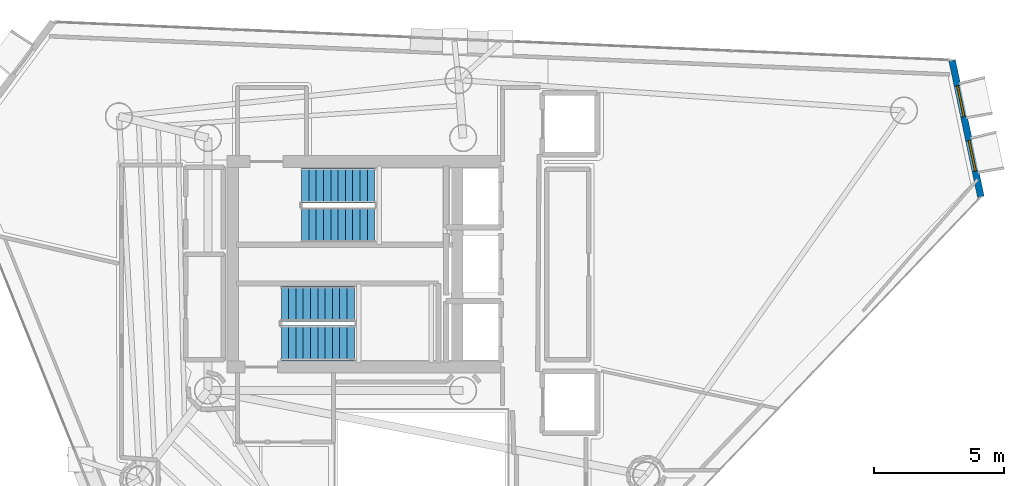
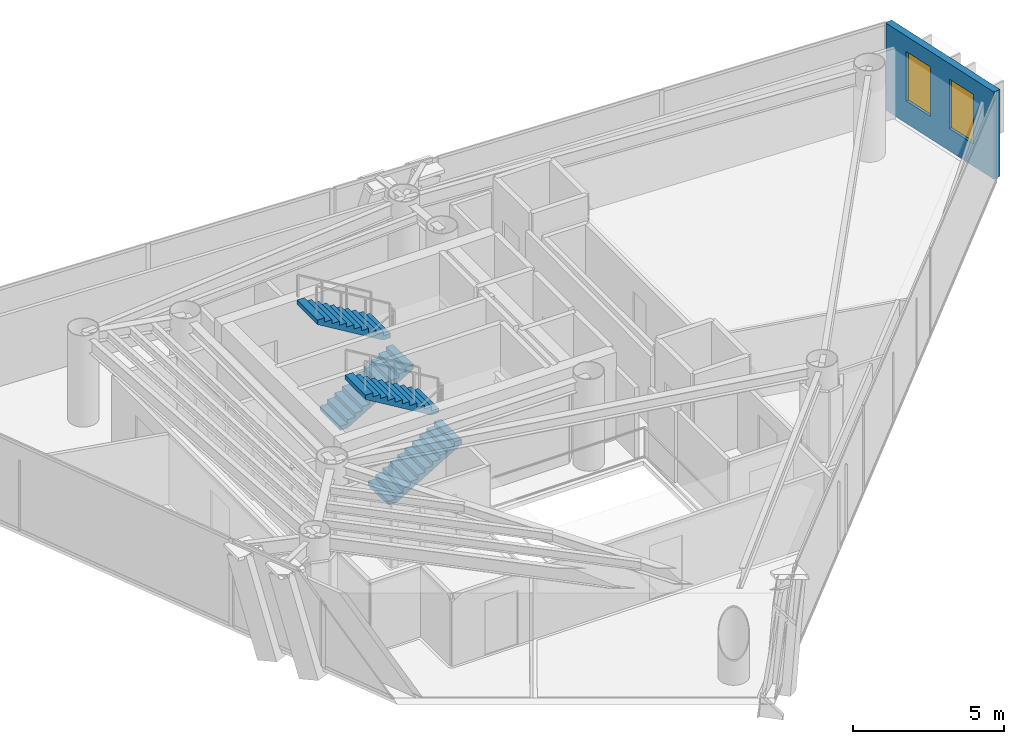
# One storey, part 17 of 21: 4 stair flights, 2 windows, 1 wall, 2 openings, 2 elements without a shape of their own.
"""IFC4 building model written with IfcOpenShell, lengths in metres."""

from ifc_helpers import new_model, si_unit, direction, frame, frame_2d, origin, place, context, subcontext, project, spatial, polyline, rectangle, outline, extrude, material, layer, layer_set, type_object, element, fill, aggregate, save


model = new_model("IFC4")

# Units and contexts
model_context = context("Model", 3, precision=1e-05, world=origin(), true_north=direction((0.0, 1.0)))
body_context = subcontext(model_context, "Body", "Model", "MODEL_VIEW")
ifc_project = project(units=[si_unit("LENGTHUNIT", "METRE"), si_unit("AREAUNIT", "SQUARE_METRE"), si_unit("VOLUMEUNIT", "CUBIC_METRE"), si_unit("PLANEANGLEUNIT", "RADIAN"), si_unit("MASSUNIT", "GRAM", prefix="KILO")], contexts=[model_context])

# Site, building, storey
site_placement = place(None, origin())
site = spatial("IfcSite", under=ifc_project, at=site_placement, CompositionType="ELEMENT")
building_placement = place(site_placement, origin())
building = spatial("IfcBuilding", under=site, at=building_placement, Name="Qianvela Tower", CompositionType="ELEMENT")
storey_placement = place(building_placement, frame((0.0, 0.0, 242.699951171875)))
storey = spatial("IfcBuildingStorey", under=building, at=storey_placement, Name="L62", CompositionType="ELEMENT", Elevation=242.699951171875)

# Wall, openings, windows
ifc_material_1 = material(Name="Terracotta Cladding on Concrete C40", Category="masonry")
ifc_layer = layer(ifc_material_1, 0.260009765625)
ifc_layer_set = layer_set([ifc_layer], Name="Terracotta Cladding on Concrete C40")
wall_type = type_object("IfcWallType", Name="TERRACOTTA-WALL-260", PredefinedType="SOLIDWALL", material=ifc_layer_set)
wall_placement = place(storey_placement, frame((58.285888671875, 31.291748046875, 0.0), z_axis=(0.0, 0.0, 1.0), x_axis=(-0.206134428102, 0.978523682673, 0.0)))
wall = element("IfcWall", 1, at=wall_placement, inside=storey, type_object=wall_type, Name="L62 Terracotta Chamfer Facet Wall 1", PredefinedType="SOLIDWALL", context=body_context, shape_type="SweptSolid", body=[
    extrude(rectangle(XDim=5.360595703125, YDim=0.260009765625, at=frame_2d((2.68017578125, 0.0))), origin(), (0.0, 0.0, 1.0), 3.52001953125),
])
opening_1_placement = place(wall_placement, frame((1.008056640625, 0.0, 0.89990234375)))
opening_1 = element("IfcOpeningElement", 2, at=opening_1_placement, cuts=wall, Name="Opening W-03", PredefinedType="OPENING", context=body_context, shape_type="SweptSolid", body=[
    extrude(rectangle(XDim=1.199951171875, YDim=2.0, at=frame_2d((0.60009765625, 1.0))), frame((0.0, 0.139892578125, 0.0), z_axis=(0.0, -1.0, 0.0), x_axis=(1.0, 0.0, 0.0)), (0.0, 0.0, 1.0), 0.280029296875),
])
opening_2_placement = place(wall_placement, frame((3.15234375, 0.0, 0.89990234375)))
opening_2 = element("IfcOpeningElement", 3, at=opening_2_placement, cuts=wall, Name="Opening W-03", PredefinedType="OPENING", context=body_context, shape_type="SweptSolid", body=[
    extrude(rectangle(XDim=1.199951171875, YDim=2.0, at=frame_2d((0.60009765625, 1.0))), frame((0.0, 0.139892578125, 0.0), z_axis=(0.0, -1.0, 0.0), x_axis=(1.0, 0.0, 0.0)), (0.0, 0.0, 1.0), 0.280029296875),
])
ifc_material_2 = material(Name="Thermally Broken Aluminium and Low-E Glass", Category="aluminium")
window_type = type_object("IfcWindowType", Name="WIN-TC-1200x2000", PartitioningType="SINGLE_PANEL", PredefinedType="WINDOW", material=ifc_material_2)
window_1_placement = place(opening_1_placement, origin())
window_1 = element("IfcWindow", 4, at=window_1_placement, inside=storey, type_object=window_type, Name="L62 Chamfer Facet Window 1.1", OverallHeight=2.0, OverallWidth=1.199951171875, PartitioningType="SINGLE_PANEL", PredefinedType="WINDOW", context=body_context, shape_type="SweptSolid", body=[
    extrude(rectangle(XDim=1.199951171875, YDim=2.0, at=frame_2d((0.60009765625, 1.0))), frame((0.0, 0.030029296875, 0.0), z_axis=(0.0, -1.0, 0.0), x_axis=(1.0, 0.0, 0.0)), (0.0, 0.0, 1.0), 0.06005859375),
])
fill(opening_1, window_1)
window_2_placement = place(opening_2_placement, origin())
window_2 = element("IfcWindow", 5, at=window_2_placement, inside=storey, type_object=window_type, Name="L62 Chamfer Facet Window 1.2", OverallHeight=2.0, OverallWidth=1.199951171875, PartitioningType="SINGLE_PANEL", PredefinedType="WINDOW", context=body_context, shape_type="SweptSolid", body=[
    extrude(rectangle(XDim=1.199951171875, YDim=2.0, at=frame_2d((0.60009765625, 1.0))), frame((0.0, 0.030029296875, 0.0), z_axis=(0.0, -1.0, 0.0), x_axis=(1.0, 0.0, 0.0)), (0.0, 0.0, 1.0), 0.06005859375),
])
fill(opening_2, window_2)

# Stair, stair flights
ifc_material_3 = material(Name="Concrete C40", Category="concrete")
stair_type = type_object("IfcStairType", Name="ST-DOGLEG-1350-R168-N22", PredefinedType="HALF_TURN_STAIR", material=ifc_material_3)
stair_1_placement = place(storey_placement, origin())
stair_1 = element("IfcStair", 6, at=stair_1_placement, inside=storey, type_object=stair_type, Name="L62 Smoke-Proof Core Stair ST-1", PredefinedType="HALF_TURN_STAIR")
ifc_material_4 = material(Name="Concrete C40", Category="concrete")
stair_flight_type = type_object("IfcStairFlightType", Name="STF-STRAIGHT-R168-P11", PredefinedType="STRAIGHT", material=ifc_material_4)
stair_flight_1_placement = place(storey_placement, frame((32.199951171875, 30.215087890625, 0.0), z_axis=(0.0, 0.0, 1.0), x_axis=(1.0, 0.0, 0.0)))
stair_flight_1 = element("IfcStairFlight", 7, at=stair_flight_1_placement, type_object=stair_flight_type, Name="ST-1 flight 1", NumberOfRisers=11, NumberOfTreads=10, PredefinedType="STRAIGHT", RiserHeight=0.168181818, TreadLength=0.28, context=body_context, shape_type="SweptSolid", body=[
    extrude(outline(polyline([(0.0, 0.0), (0.0, 0.168212890625), (0.280029296875, 0.168212890625), (0.280029296875, 0.33642578125), (0.56005859375, 0.33642578125), (0.56005859375, 0.504638671875), (0.840087890625, 0.504638671875), (0.840087890625, 0.672607421875), (1.1201171875, 0.672607421875), (1.1201171875, 0.8408203125), (1.39990234375, 0.8408203125), (1.39990234375, 1.009033203125), (1.679931640625, 1.009033203125), (1.679931640625, 1.17724609375), (1.9599609375, 1.17724609375), (1.9599609375, 1.345458984375), (2.239990234375, 1.345458984375), (2.239990234375, 1.513671875), (2.52001953125, 1.513671875), (2.52001953125, 1.681884765625), (2.800048828125, 1.681884765625), (2.800048828125, 1.85009765625), (2.800048828125, 1.5068359375), (0.291015625, 0.0), (0.0, 0.0)])), frame((0.0, 0.675048828125, 0.0), z_axis=(0.0, -1.0, 0.0), x_axis=(1.0, 0.0, 0.0)), (0.0, 0.0, 1.0), 1.35009765625),
])
stair_flight_2_placement = place(storey_placement, frame((35.0, 31.72509765625, 1.85009765625), z_axis=(0.0, 0.0, 1.0), x_axis=(-1.0, 0.0, 0.0)))
stair_flight_2 = element("IfcStairFlight", 8, at=stair_flight_2_placement, type_object=stair_flight_type, Name="ST-1 flight 2", NumberOfRisers=11, NumberOfTreads=10, PredefinedType="STRAIGHT", RiserHeight=0.168181818, TreadLength=0.28, context=body_context, shape_type="SweptSolid", body=[
    extrude(outline(polyline([(0.0, 0.0), (0.0, 0.168212890625), (0.280029296875, 0.168212890625), (0.280029296875, 0.33642578125), (0.56005859375, 0.33642578125), (0.56005859375, 0.504638671875), (0.840087890625, 0.504638671875), (0.840087890625, 0.672607421875), (1.1201171875, 0.672607421875), (1.1201171875, 0.8408203125), (1.39990234375, 0.8408203125), (1.39990234375, 1.009033203125), (1.679931640625, 1.009033203125), (1.679931640625, 1.17724609375), (1.9599609375, 1.17724609375), (1.9599609375, 1.345458984375), (2.239990234375, 1.345458984375), (2.239990234375, 1.513671875), (2.52001953125, 1.513671875), (2.52001953125, 1.681884765625), (2.800048828125, 1.681884765625), (2.800048828125, 1.85009765625), (2.800048828125, 1.5068359375), (0.291015625, 0.0), (0.0, 0.0)])), frame((0.0, 0.675048828125, 0.0), z_axis=(0.0, -1.0, 0.0), x_axis=(1.0, 0.0, 0.0)), (0.0, 0.0, 1.0), 1.35009765625),
])
aggregate(stair_1, [stair_flight_1, stair_flight_2])

stair_2_placement = place(storey_placement, origin())
stair_2 = element("IfcStair", 9, at=stair_2_placement, inside=storey, type_object=stair_type, Name="L62 Smoke-Proof Core Stair ST-2", PredefinedType="HALF_TURN_STAIR")
stair_flight_3_placement = place(storey_placement, frame((31.419921875, 25.675048828125, 0.0), z_axis=(0.0, 0.0, 1.0), x_axis=(1.0, 0.0, 0.0)))
stair_flight_3 = element("IfcStairFlight", 10, at=stair_flight_3_placement, type_object=stair_flight_type, Name="ST-2 flight 1", NumberOfRisers=11, NumberOfTreads=10, PredefinedType="STRAIGHT", RiserHeight=0.168181818, TreadLength=0.28, context=body_context, shape_type="SweptSolid", body=[
    extrude(outline(polyline([(0.0, 0.0), (0.0, 0.168212890625), (0.280029296875, 0.168212890625), (0.280029296875, 0.33642578125), (0.56005859375, 0.33642578125), (0.56005859375, 0.504638671875), (0.840087890625, 0.504638671875), (0.840087890625, 0.672607421875), (1.1201171875, 0.672607421875), (1.1201171875, 0.8408203125), (1.39990234375, 0.8408203125), (1.39990234375, 1.009033203125), (1.679931640625, 1.009033203125), (1.679931640625, 1.17724609375), (1.9599609375, 1.17724609375), (1.9599609375, 1.345458984375), (2.239990234375, 1.345458984375), (2.239990234375, 1.513671875), (2.52001953125, 1.513671875), (2.52001953125, 1.681884765625), (2.800048828125, 1.681884765625), (2.800048828125, 1.85009765625), (2.800048828125, 1.5068359375), (0.291015625, 0.0), (0.0, 0.0)])), frame((0.0, 0.675048828125, 0.0), z_axis=(0.0, -1.0, 0.0), x_axis=(1.0, 0.0, 0.0)), (0.0, 0.0, 1.0), 1.35009765625),
])
stair_flight_4_placement = place(storey_placement, frame((34.219970703125, 27.18505859375, 1.85009765625), z_axis=(0.0, 0.0, 1.0), x_axis=(-1.0, 0.0, 0.0)))
stair_flight_4 = element("IfcStairFlight", 11, at=stair_flight_4_placement, type_object=stair_flight_type, Name="ST-2 flight 2", NumberOfRisers=11, NumberOfTreads=10, PredefinedType="STRAIGHT", RiserHeight=0.168181818, TreadLength=0.28, context=body_context, shape_type="SweptSolid", body=[
    extrude(outline(polyline([(0.0, 0.0), (0.0, 0.168212890625), (0.280029296875, 0.168212890625), (0.280029296875, 0.33642578125), (0.56005859375, 0.33642578125), (0.56005859375, 0.504638671875), (0.840087890625, 0.504638671875), (0.840087890625, 0.672607421875), (1.1201171875, 0.672607421875), (1.1201171875, 0.8408203125), (1.39990234375, 0.8408203125), (1.39990234375, 1.009033203125), (1.679931640625, 1.009033203125), (1.679931640625, 1.17724609375), (1.9599609375, 1.17724609375), (1.9599609375, 1.345458984375), (2.239990234375, 1.345458984375), (2.239990234375, 1.513671875), (2.52001953125, 1.513671875), (2.52001953125, 1.681884765625), (2.800048828125, 1.681884765625), (2.800048828125, 1.85009765625), (2.800048828125, 1.5068359375), (0.291015625, 0.0), (0.0, 0.0)])), frame((0.0, 0.675048828125, 0.0), z_axis=(0.0, -1.0, 0.0), x_axis=(1.0, 0.0, 0.0)), (0.0, 0.0, 1.0), 1.35009765625),
])
aggregate(stair_2, [stair_flight_3, stair_flight_4])

save(model, "model.ifc")
